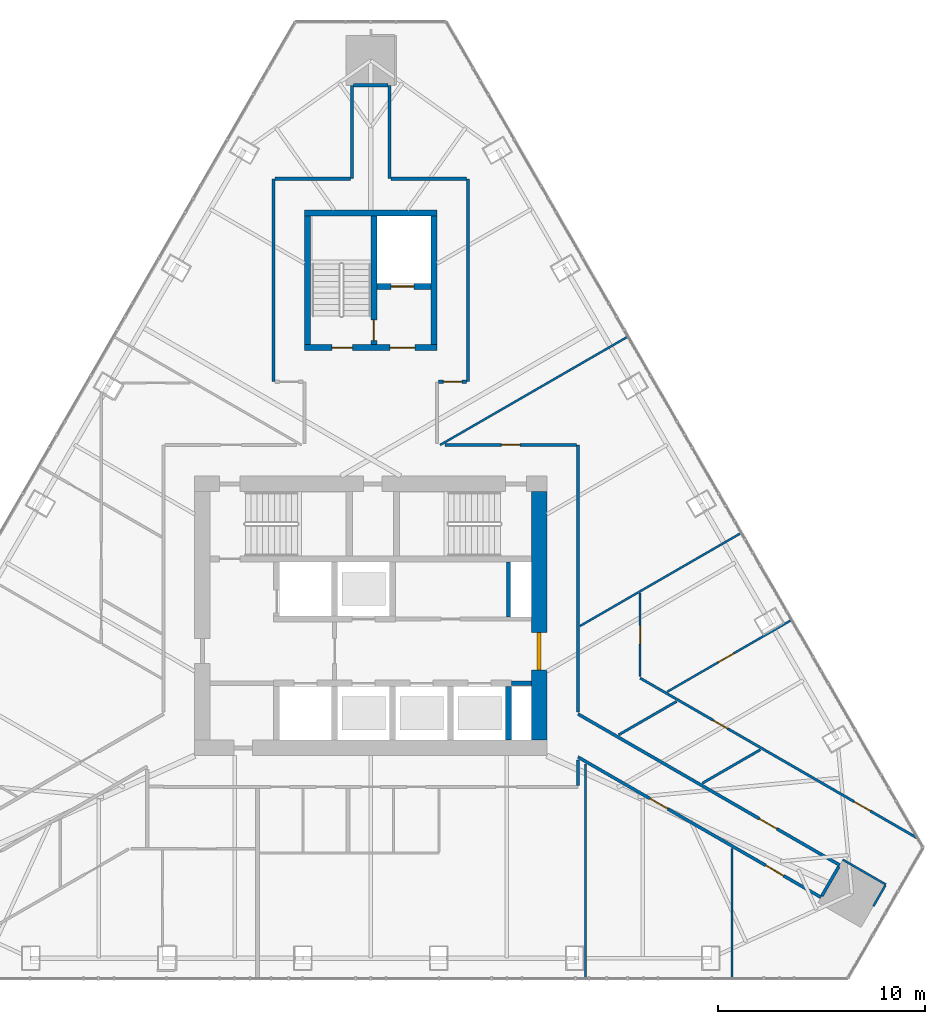
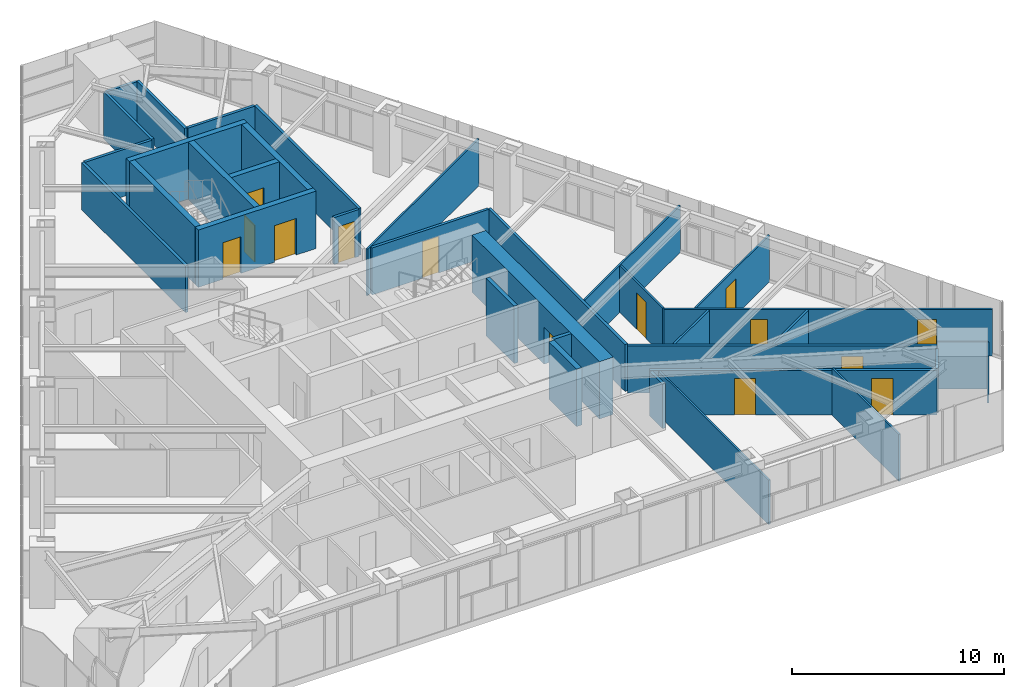
# One storey, part 17 of 20: 35 walls, 14 doors, 14 openings.
"""IFC4 building model written with IfcOpenShell, lengths in metres."""

from ifc_helpers import new_model, si_unit, direction, frame, frame_2d, origin, place, context, subcontext, project, spatial, rectangle, extrude, material, layer, layer_set, type_object, element, fill, save


model = new_model("IFC4")

# Units and contexts
model_context = context("Model", 3, precision=1e-05, world=origin(), true_north=direction((0.0, 1.0)))
body_context = subcontext(model_context, "Body", "Model", "MODEL_VIEW")
ifc_project = project(units=[si_unit("LENGTHUNIT", "METRE"), si_unit("AREAUNIT", "SQUARE_METRE"), si_unit("VOLUMEUNIT", "CUBIC_METRE"), si_unit("PLANEANGLEUNIT", "RADIAN"), si_unit("MASSUNIT", "GRAM", prefix="KILO")], contexts=[model_context])

# Site, building, storey
site_placement = place(None, origin())
site = spatial("IfcSite", under=ifc_project, at=site_placement, CompositionType="ELEMENT")
building_placement = place(site_placement, origin())
building = spatial("IfcBuilding", under=site, at=building_placement, Name="Firuza Gate Tower and Library", CompositionType="ELEMENT")
storey_placement = place(building_placement, frame((0.0, 0.0, 277.60009765625)))
storey = spatial("IfcBuildingStorey", under=building, at=storey_placement, Name="L66", CompositionType="ELEMENT", Elevation=277.60009765625)

# Walls
ifc_material_1 = material(Name="Plasterboard on steel studs", Category="steel")
ifc_layer_1 = layer(ifc_material_1, 0.199951171875)
ifc_layer_set_1 = layer_set([ifc_layer_1], Name="Core partition 200 EI 120")
wall_type_1 = type_object("IfcWallType", Name="Core partition 200 EI 120", PredefinedType="PARTITIONING", material=ifc_layer_set_1)
wall_1_placement = place(storey_placement, frame((81.800048828125, 71.75, 0.0), z_axis=(0.0, 0.0, 1.0), x_axis=(1.0, 0.0, 0.0)))
element("IfcWall", 1, at=wall_1_placement, inside=storey, type_object=wall_type_1, Name="Core partition L66 2", PredefinedType="PARTITIONING", context=body_context, shape_type="SweptSolid", body=[
    extrude(rectangle(XDim=0.949951171875, YDim=0.199951171875, at=frame_2d((0.47509765625, 0.0))), origin(), (0.0, 0.0, 1.0), 3.2998046875),
])
wall_2_placement = place(storey_placement, frame((81.64990234375, 74.949951171875, 0.0), z_axis=(0.0, 0.0, 1.0), x_axis=(0.0, 1.0, 0.0)))
element("IfcWall", 2, at=wall_2_placement, inside=storey, type_object=wall_type_1, Name="Core partition L66 5", PredefinedType="PARTITIONING", context=body_context, shape_type="SweptSolid", body=[
    extrude(rectangle(XDim=2.650146484375, YDim=0.199951171875, at=frame_2d((1.3251953125, 0.0))), origin(), (0.0, 0.0, 1.0), 3.2998046875),
])
ifc_material_2 = material(Name="Concrete C60/75", Category="concrete")
ifc_layer_2 = layer(ifc_material_2, 0.300048828125)
ifc_layer_set_2 = layer_set([ifc_layer_2], Name="Core wall 300 C60/75")
wall_type_2 = type_object("IfcWallType", Name="Core wall 300 C60/75", PredefinedType="SHEAR", material=ifc_layer_set_2)
wall_3_placement = place(storey_placement, frame((81.64990234375, 69.0, 0.0), z_axis=(0.0, 0.0, 1.0), x_axis=(0.0, 1.0, 0.0)))
element("IfcWall", 3, at=wall_3_placement, inside=storey, type_object=wall_type_2, Name="Core wall L66 14", PredefinedType="SHEAR", context=body_context, shape_type="SweptSolid", body=[
    extrude(rectangle(XDim=2.60009765625, YDim=0.300048828125, at=frame_2d((1.300048828125, 0.0))), origin(), (0.0, 0.0, 1.0), 3.2998046875),
])

# Wall, openings, doors
wall_4_placement = place(storey_placement, frame((71.800048828125, 87.949951171875, 0.0), z_axis=(0.0, 0.0, 1.0), x_axis=(1.0, 0.0, 0.0)))
wall_4 = element("IfcWall", 4, at=wall_4_placement, inside=storey, type_object=wall_type_2, Name="Core wall L66 18", PredefinedType="SHEAR", context=body_context, shape_type="SweptSolid", body=[
    extrude(rectangle(XDim=6.39990234375, YDim=0.300048828125, at=frame_2d((3.199951171875, 0.0))), origin(), (0.0, 0.0, 1.0), 3.2998046875),
])
opening_1_placement = place(wall_4_placement, frame((1.324951171875, 0.0, 0.0)))
opening_1 = element("IfcOpeningElement", 5, at=opening_1_placement, cuts=wall_4, Name="Opening L66-K11", PredefinedType="OPENING", context=body_context, shape_type="SweptSolid", body=[
    extrude(rectangle(XDim=1.0, YDim=2.10009765625, at=frame_2d((0.5, 1.050048828125))), frame((0.0, 0.16015625, 0.0), z_axis=(0.0, -1.0, 0.0), x_axis=(1.0, 0.0, 0.0)), (0.0, 0.0, 1.0), 0.320068359375),
])
opening_2_placement = place(wall_4_placement, frame((4.125, 0.0, 0.0)))
opening_2 = element("IfcOpeningElement", 6, at=opening_2_placement, cuts=wall_4, Name="Opening L66-K13", PredefinedType="OPENING", context=body_context, shape_type="SweptSolid", body=[
    extrude(rectangle(XDim=1.199951171875, YDim=2.10009765625, at=frame_2d((0.60009765625, 1.050048828125))), frame((0.0, 0.16015625, 0.0), z_axis=(0.0, -1.0, 0.0), x_axis=(1.0, 0.0, 0.0)), (0.0, 0.0, 1.0), 0.320068359375),
])
ifc_material_3 = material(Name="Steel", Category="steel")
door_type_1 = type_object("IfcDoorType", Name="Fire door 1000x2100 FD90", OperationType="NOTDEFINED", PredefinedType="DOOR", material=ifc_material_3)
door_1_placement = place(opening_1_placement, origin())
door_1 = element("IfcDoor", 7, at=door_1_placement, inside=storey, type_object=door_type_1, Name="Door L66-K11", OperationType="SINGLE_SWING_RIGHT", OverallHeight=2.10009765625, OverallWidth=1.0, PredefinedType="DOOR", context=body_context, shape_type="SweptSolid", body=[
    extrude(rectangle(XDim=1.0, YDim=2.10009765625, at=frame_2d((0.5, 1.050048828125))), frame((0.0, 0.02490234375, 0.0), z_axis=(0.0, -1.0, 0.0), x_axis=(1.0, 0.0, 0.0)), (0.0, 0.0, 1.0), 0.050048828125),
])
fill(opening_1, door_1)
ifc_material_4 = material(Name="Steel", Category="steel")
door_type_2 = type_object("IfcDoorType", Name="Fire door 1200x2100 FD30S", OperationType="NOTDEFINED", PredefinedType="DOOR", material=ifc_material_4)
door_2_placement = place(opening_2_placement, origin())
door_2 = element("IfcDoor", 8, at=door_2_placement, inside=storey, type_object=door_type_2, Name="Door L66-K13", OperationType="SINGLE_SWING_RIGHT", OverallHeight=2.10009765625, OverallWidth=1.199951171875, PredefinedType="DOOR", context=body_context, shape_type="SweptSolid", body=[
    extrude(rectangle(XDim=1.199951171875, YDim=2.10009765625, at=frame_2d((0.60009765625, 1.050048828125))), frame((0.0, 0.02490234375, 0.0), z_axis=(0.0, -1.0, 0.0), x_axis=(1.0, 0.0, 0.0)), (0.0, 0.0, 1.0), 0.050048828125),
])
fill(opening_2, door_2)

# Walls
wall_5_placement = place(storey_placement, frame((71.800048828125, 94.449951171875, 0.0), z_axis=(0.0, 0.0, 1.0), x_axis=(1.0, 0.0, 0.0)))
element("IfcWall", 9, at=wall_5_placement, inside=storey, type_object=wall_type_2, Name="Core wall L66 19", PredefinedType="SHEAR", context=body_context, shape_type="SweptSolid", body=[
    extrude(rectangle(XDim=6.39990234375, YDim=0.300048828125, at=frame_2d((3.199951171875, 0.0))), origin(), (0.0, 0.0, 1.0), 3.2998046875),
])
for number, where, z_axis, x_axis, name in (
    (10, (71.949951171875, 88.10009765625, 0.0), (0.0, 0.0, 1.0), (0.0, 1.0, 0.0), "Core wall L66 20"),
    (11, (78.050048828125, 88.10009765625, 0.0), (0.0, 0.0, 1.0), (0.0, 1.0, 0.0), "Core wall L66 21"),
):
    element("IfcWall", number, at=place(storey_placement, frame(where, z_axis=z_axis, x_axis=x_axis)), inside=storey, type_object=wall_type_2, Name=name, PredefinedType="SHEAR", context=body_context, shape_type="SweptSolid", body=[
        extrude(rectangle(XDim=6.199951171875, YDim=0.300048828125, at=frame_2d((3.10009765625, 0.0))), origin(), (0.0, 0.0, 1.0), 3.2998046875),
    ])

# Wall, opening, door
wall_6_placement = place(storey_placement, frame((75.300048828125, 90.89990234375, 0.0), z_axis=(0.0, 0.0, 1.0), x_axis=(1.0, 0.0, 0.0)))
wall_6 = element("IfcWall", 12, at=wall_6_placement, inside=storey, type_object=wall_type_2, Name="Core wall L66 22", PredefinedType="SHEAR", context=body_context, shape_type="SweptSolid", body=[
    extrude(rectangle(XDim=2.599853515625, YDim=0.300048828125, at=frame_2d((1.2998046875, 0.0))), origin(), (0.0, 0.0, 1.0), 3.2998046875),
])
opening_3_placement = place(wall_6_placement, frame((0.675048828125, 0.0, 0.0)))
opening_3 = element("IfcOpeningElement", 13, at=opening_3_placement, cuts=wall_6, Name="Opening LD-SV1-L66", PredefinedType="OPENING", context=body_context, shape_type="SweptSolid", body=[
    extrude(rectangle(XDim=1.10009765625, YDim=2.10009765625, at=frame_2d((0.550048828125, 1.050048828125))), frame((0.0, 0.16015625, 0.0), z_axis=(0.0, -1.0, 0.0), x_axis=(1.0, 0.0, 0.0)), (0.0, 0.0, 1.0), 0.320068359375),
])
ifc_material_5 = material(Name="Stainless steel", Category="steel")
door_type_3 = type_object("IfcDoorType", Name="Lift landing door 1100x2100", OperationType="DOUBLE_DOOR_SLIDING", PredefinedType="DOOR", material=ifc_material_5)
door_3_placement = place(opening_3_placement, origin())
door_3 = element("IfcDoor", 14, at=door_3_placement, inside=storey, type_object=door_type_3, Name="Landing door SV1 L66", OperationType="DOUBLE_DOOR_SLIDING", OverallHeight=2.10009765625, OverallWidth=1.10009765625, PredefinedType="DOOR", context=body_context, shape_type="SweptSolid", body=[
    extrude(rectangle(XDim=1.10009765625, YDim=2.10009765625, at=frame_2d((0.550048828125, 1.050048828125))), frame((0.0, 0.02490234375, 0.0), z_axis=(0.0, -1.0, 0.0), x_axis=(1.0, 0.0, 0.0)), (0.0, 0.0, 1.0), 0.050048828125),
])
fill(opening_3, door_3)

wall_7_placement = place(storey_placement, frame((75.14990234375, 88.10009765625, 0.0), z_axis=(0.0, 0.0, 1.0), x_axis=(0.0, 1.0, 0.0)))
wall_7 = element("IfcWall", 15, at=wall_7_placement, inside=storey, type_object=wall_type_2, Name="Core wall L66 23", PredefinedType="SHEAR", context=body_context, shape_type="SweptSolid", body=[
    extrude(rectangle(XDim=6.199951171875, YDim=0.300048828125, at=frame_2d((3.10009765625, 0.0))), origin(), (0.0, 0.0, 1.0), 3.2998046875),
])
opening_4_placement = place(wall_7_placement, frame((0.18505859375, 0.0, 0.0)))
opening_4 = element("IfcOpeningElement", 16, at=opening_4_placement, cuts=wall_7, Name="Opening L66-K12", PredefinedType="OPENING", context=body_context, shape_type="SweptSolid", body=[
    extrude(rectangle(XDim=1.0, YDim=2.10009765625, at=frame_2d((0.5, 1.050048828125))), frame((0.0, 0.16015625, 0.0), z_axis=(0.0, -1.0, 0.0), x_axis=(1.0, 0.0, 0.0)), (0.0, 0.0, 1.0), 0.320068359375),
])
door_4_placement = place(opening_4_placement, origin())
door_4 = element("IfcDoor", 17, at=door_4_placement, inside=storey, type_object=door_type_1, Name="Door L66-K12", OperationType="SINGLE_SWING_LEFT", OverallHeight=2.10009765625, OverallWidth=1.0, PredefinedType="DOOR", context=body_context, shape_type="SweptSolid", body=[
    extrude(rectangle(XDim=1.0, YDim=2.10009765625, at=frame_2d((0.5, 1.050048828125))), frame((0.0, 0.02490234375, 0.0), z_axis=(0.0, -1.0, 0.0), x_axis=(1.0, 0.0, 0.0)), (0.0, 0.0, 1.0), 0.050048828125),
])
fill(opening_4, door_4)

ifc_material_6 = material(Name="Concrete C60/75", Category="concrete")
ifc_layer_3 = layer(ifc_material_6, 0.75)
ifc_layer_set_3 = layer_set([ifc_layer_3], Name="Core wall 750 C60/75")
wall_type_3 = type_object("IfcWallType", Name="Core wall 750 C60/75", PredefinedType="SHEAR", material=ifc_layer_set_3)
wall_8_placement = place(storey_placement, frame((83.125, 69.0, 0.0), z_axis=(0.0, 0.0, 1.0), x_axis=(0.0, 1.0, 0.0)))
wall_8 = element("IfcWall", 18, at=wall_8_placement, inside=storey, type_object=wall_type_3, Name="Core wall L66 4", PredefinedType="SHEAR", context=body_context, shape_type="SweptSolid", body=[
    extrude(rectangle(XDim=12.0, YDim=0.75, at=frame_2d((6.0, 0.0))), origin(), (0.0, 0.0, 1.0), 3.2998046875),
])
opening_5_placement = place(wall_8_placement, frame((3.39990234375, 0.0, 0.0)))
opening_5 = element("IfcOpeningElement", 19, at=opening_5_placement, cuts=wall_8, Name="Opening L66-K16", PredefinedType="OPENING", context=body_context, shape_type="SweptSolid", body=[
    extrude(rectangle(XDim=1.800048828125, YDim=2.10009765625, at=frame_2d((0.89990234375, 1.050048828125))), frame((0.0, 0.385009765625, 0.0), z_axis=(0.0, -1.0, 0.0), x_axis=(1.0, 0.0, 0.0)), (0.0, 0.0, 1.0), 0.77001953125),
])
ifc_material_7 = material(Name="Steel", Category="steel")
door_type_4 = type_object("IfcDoorType", Name="Fire door 1800x2100 FD30S", OperationType="NOTDEFINED", PredefinedType="DOOR", material=ifc_material_7)
door_5_placement = place(opening_5_placement, origin())
door_5 = element("IfcDoor", 20, at=door_5_placement, inside=storey, type_object=door_type_4, Name="Door L66-K16", OperationType="SINGLE_SWING_LEFT", OverallHeight=2.10009765625, OverallWidth=1.800048828125, PredefinedType="DOOR", context=body_context, shape_type="SweptSolid", body=[
    extrude(rectangle(XDim=1.800048828125, YDim=2.10009765625, at=frame_2d((0.89990234375, 1.050048828125))), frame((0.0, 0.094970703125, 0.0), z_axis=(0.0, -1.0, 0.0), x_axis=(1.0, 0.0, 0.0)), (0.0, 0.0, 1.0), 0.18994140625),
])
fill(opening_5, door_5)

ifc_material_8 = material(Name="Gypsum board partition")
ifc_layer_4 = layer(ifc_material_8, 0.14990234375)
ifc_layer_set_4 = layer_set([ifc_layer_4], Name="Corridor wall 150 double board on steel studs")
wall_type_4 = type_object("IfcWallType", Name="Corridor wall 150 double board on steel studs", PredefinedType="PARTITIONING", material=ifc_layer_set_4)
wall_9_placement = place(storey_placement, frame((84.924560546875, 83.25, 0.0), z_axis=(0.0, 0.0, 1.0), x_axis=(-1.0, 0.0, 0.0)))
wall_9 = element("IfcWall", 21, at=wall_9_placement, inside=storey, type_object=wall_type_4, Name="f:L66:w007", PredefinedType="PARTITIONING", context=body_context, shape_type="SweptSolid", body=[
    extrude(rectangle(XDim=6.344482421875, YDim=0.14990234375, at=frame_2d((3.17236328125, 0.0))), origin(), (0.0, 0.0, 1.0), 2.699951171875),
])
opening_6_placement = place(wall_9_placement, frame((2.72216796875, 0.0, 0.0)))
opening_6 = element("IfcOpeningElement", 22, at=opening_6_placement, cuts=wall_9, Name="Opening L66-08", PredefinedType="OPENING", context=body_context, shape_type="SweptSolid", body=[
    extrude(rectangle(XDim=0.89990234375, YDim=2.10009765625, at=frame_2d((0.449951171875, 1.050048828125))), frame((0.0, 0.0849609375, 0.0), z_axis=(0.0, -1.0, 0.0), x_axis=(1.0, 0.0, 0.0)), (0.0, 0.0, 1.0), 0.169921875),
])
ifc_material_9 = material(Name="Steel door and timber leaf", Category="steel")
door_type_5 = type_object("IfcDoorType", Name="Fire door 900 x 2100 steel frame, timber leaf", OperationType="NOTDEFINED", PredefinedType="DOOR", material=ifc_material_9)
door_6_placement = place(opening_6_placement, origin())
door_6 = element("IfcDoor", 23, at=door_6_placement, inside=storey, type_object=door_type_5, Name="f:L66:d008", OperationType="SINGLE_SWING_LEFT", OverallHeight=2.10009765625, OverallWidth=0.89990234375, PredefinedType="DOOR", context=body_context, shape_type="SweptSolid", body=[
    extrude(rectangle(XDim=0.89990234375, YDim=2.10009765625, at=frame_2d((0.449951171875, 1.050048828125))), frame((0.0, 0.02490234375, 0.0), z_axis=(0.0, -1.0, 0.0), x_axis=(1.0, 0.0, 0.0)), (0.0, 0.0, 1.0), 0.050048828125),
])
fill(opening_6, door_6)

wall_10_placement = place(storey_placement, frame((78.275146484375, 86.300048828125, 0.0), z_axis=(0.0, 0.0, 1.0), x_axis=(1.0, 0.0, 0.0)))
wall_10 = element("IfcWall", 24, at=wall_10_placement, inside=storey, type_object=wall_type_4, Name="f:L66:w010", PredefinedType="PARTITIONING", context=body_context, shape_type="SweptSolid", body=[
    extrude(rectangle(XDim=1.347900390625, YDim=0.14990234375, at=frame_2d((0.673828125, 0.0))), origin(), (0.0, 0.0, 1.0), 2.699951171875),
])
opening_7_placement = place(wall_10_placement, frame((0.223876953125, 0.0, 0.0)))
opening_7 = element("IfcOpeningElement", 25, at=opening_7_placement, cuts=wall_10, Name="Opening L66-11", PredefinedType="OPENING", context=body_context, shape_type="SweptSolid", body=[
    extrude(rectangle(XDim=0.89990234375, YDim=2.10009765625, at=frame_2d((0.449951171875, 1.050048828125))), frame((0.0, 0.0849609375, 0.0), z_axis=(0.0, -1.0, 0.0), x_axis=(1.0, 0.0, 0.0)), (0.0, 0.0, 1.0), 0.169921875),
])
door_7_placement = place(opening_7_placement, origin())
door_7 = element("IfcDoor", 26, at=door_7_placement, inside=storey, type_object=door_type_5, Name="f:L66:d011", OperationType="SINGLE_SWING_LEFT", OverallHeight=2.10009765625, OverallWidth=0.89990234375, PredefinedType="DOOR", context=body_context, shape_type="SweptSolid", body=[
    extrude(rectangle(XDim=0.89990234375, YDim=2.10009765625, at=frame_2d((0.449951171875, 1.050048828125))), frame((0.0, 0.02490234375, 0.0), z_axis=(0.0, -1.0, 0.0), x_axis=(1.0, 0.0, 0.0)), (0.0, 0.0, 1.0), 0.050048828125),
])
fill(opening_7, door_7)

# Walls
for number, where, z_axis, x_axis, name in (
    (27, (70.376953125, 96.10009765625, 0.0), (0.0, 0.0, 1.0), (1.0, 0.0, 0.0), "f:L66:w011"),
    (28, (75.97509765625, 96.10009765625, 0.0), (0.0, 0.0, 1.0), (1.0, 0.0, 0.0), "f:L66:w012"),
):
    element("IfcWall", number, at=place(storey_placement, frame(where, z_axis=z_axis, x_axis=x_axis)), inside=storey, type_object=wall_type_4, Name=name, PredefinedType="PARTITIONING", context=body_context, shape_type="SweptSolid", body=[
        extrude(rectangle(XDim=3.64794921875, YDim=0.14990234375, at=frame_2d((1.823974609375, 0.0))), origin(), (0.0, 0.0, 1.0), 2.699951171875),
    ])
wall_11_placement = place(storey_placement, frame((74.175537109375, 100.612060546875, 0.0), z_axis=(0.0, 0.0, 1.0), x_axis=(1.0, 0.0, 0.0)))
element("IfcWall", 29, at=wall_11_placement, inside=storey, type_object=wall_type_4, Name="f:L66:w013", PredefinedType="PARTITIONING", context=body_context, shape_type="SweptSolid", body=[
    extrude(rectangle(XDim=1.642578125, YDim=0.14990234375, at=frame_2d((0.8212890625, 0.0))), origin(), (0.0, 0.0, 1.0), 2.697021484375),
])
wall_12_placement = place(storey_placement, frame((96.7685546875, 61.47998046875, 0.0), z_axis=(0.0, 0.0, 1.0), x_axis=(0.500035172766, 0.866005095826, 0.0)))
element("IfcWall", 30, at=wall_12_placement, inside=storey, type_object=wall_type_4, Name="f:L66:w026", PredefinedType="PARTITIONING", context=body_context, shape_type="SweptSolid", body=[
    extrude(rectangle(XDim=1.64453125, YDim=0.14990234375, at=frame_2d((0.822265625, 0.0))), origin(), (0.0, 0.0, 1.0), 2.546875),
])
wall_13_placement = place(storey_placement, frame((85.0, 66.825439453125, 0.0), z_axis=(0.0, 0.0, 1.0), x_axis=(0.0, 1.0, 0.0)))
element("IfcWall", 31, at=wall_13_placement, inside=storey, type_object=wall_type_4, Name="f:L66:w031", PredefinedType="PARTITIONING", context=body_context, shape_type="SweptSolid", body=[
    extrude(rectangle(XDim=1.22509765625, YDim=0.14990234375, at=frame_2d((0.612548828125, 0.0))), origin(), (0.0, 0.0, 1.0), 2.546875),
])
wall_14_placement = place(storey_placement, frame((85.0, 70.352294921875, 0.0), z_axis=(0.0, 0.0, 1.0), x_axis=(0.0, 1.0, 0.0)))
element("IfcWall", 32, at=wall_14_placement, inside=storey, type_object=wall_type_4, Name="f:L66:w032", PredefinedType="PARTITIONING", context=body_context, shape_type="SweptSolid", body=[
    extrude(rectangle(XDim=12.897216796875, YDim=0.14990234375, at=frame_2d((6.44873046875, 0.0))), origin(), (0.0, 0.0, 1.0), 2.699951171875),
])
wall_15_placement = place(storey_placement, frame((79.699951171875, 86.302001953125, 0.0), z_axis=(0.0, 0.0, 1.0), x_axis=(0.0, 1.0, 0.0)))
element("IfcWall", 33, at=wall_15_placement, inside=storey, type_object=wall_type_4, Name="f:L66:w033", PredefinedType="PARTITIONING", context=body_context, shape_type="SweptSolid", body=[
    extrude(rectangle(XDim=9.7958984375, YDim=0.14990234375, at=frame_2d((4.89794921875, 0.0))), origin(), (0.0, 0.0, 1.0), 2.699951171875),
])
wall_16_placement = place(storey_placement, frame((75.89990234375, 96.10009765625, 0.0), z_axis=(0.0, 0.0, 1.0), x_axis=(0.0, 1.0, 0.0)))
element("IfcWall", 34, at=wall_16_placement, inside=storey, type_object=wall_type_4, Name="f:L66:w038", PredefinedType="PARTITIONING", context=body_context, shape_type="SweptSolid", body=[
    extrude(rectangle(XDim=4.51171875, YDim=0.14990234375, at=frame_2d((2.255859375, 0.0))), origin(), (0.0, 0.0, 1.0), 2.699951171875),
])
wall_17_placement = place(storey_placement, frame((74.10009765625, 96.10009765625, 0.0), z_axis=(0.0, 0.0, 1.0), x_axis=(0.0, 1.0, 0.0)))
element("IfcWall", 35, at=wall_17_placement, inside=storey, type_object=wall_type_4, Name="f:L66:w040", PredefinedType="PARTITIONING", context=body_context, shape_type="SweptSolid", body=[
    extrude(rectangle(XDim=4.51123046875, YDim=0.14990234375, at=frame_2d((2.255615234375, 0.0))), origin(), (0.0, 0.0, 1.0), 2.699951171875),
])
wall_18_placement = place(storey_placement, frame((70.300048828125, 86.302001953125, 0.0), z_axis=(0.0, 0.0, 1.0), x_axis=(0.0, 1.0, 0.0)))
element("IfcWall", 36, at=wall_18_placement, inside=storey, type_object=wall_type_4, Name="f:L66:w044", PredefinedType="PARTITIONING", context=body_context, shape_type="SweptSolid", body=[
    extrude(rectangle(XDim=9.7958984375, YDim=0.14990234375, at=frame_2d((4.89794921875, 0.0))), origin(), (0.0, 0.0, 1.0), 2.699951171875),
])

# Wall, opening, door
wall_19_placement = place(storey_placement, frame((85.0, 70.265869140625, 0.0), z_axis=(0.0, 0.0, 1.0), x_axis=(0.866026970734, -0.499997285954, 0.0)))
wall_19 = element("IfcWall", 37, at=wall_19_placement, inside=storey, type_object=wall_type_4, Name="f:L66:w058", PredefinedType="PARTITIONING", context=body_context, shape_type="SweptSolid", body=[
    extrude(rectangle(XDim=14.58447265625, YDim=0.14990234375, at=frame_2d((7.292236328125, 0.0))), origin(), (0.0, 0.0, 1.0), 2.699951171875),
])
opening_8_placement = place(wall_19_placement, frame((10.09423828125, 0.0, 0.0)))
opening_8 = element("IfcOpeningElement", 38, at=opening_8_placement, cuts=wall_19, Name="Opening L66-24", PredefinedType="OPENING", context=body_context, shape_type="SweptSolid", body=[
    extrude(rectangle(XDim=1.0, YDim=2.10009765625, at=frame_2d((0.5, 1.050048828125))), frame((0.0, 0.0849609375, 0.0), z_axis=(0.0, -1.0, 0.0), x_axis=(1.0, 0.0, 0.0)), (0.0, 0.0, 1.0), 0.169921875),
])
ifc_material_10 = material(Name="Steel door and timber leaf", Category="steel")
door_type_6 = type_object("IfcDoorType", Name="Fire door 1000 x 2100 steel frame, timber leaf", OperationType="NOTDEFINED", PredefinedType="DOOR", material=ifc_material_10)
door_8_placement = place(opening_8_placement, origin())
door_8 = element("IfcDoor", 39, at=door_8_placement, inside=storey, type_object=door_type_6, Name="f:L66:d024", OperationType="SINGLE_SWING_LEFT", OverallHeight=2.10009765625, OverallWidth=1.0, PredefinedType="DOOR", context=body_context, shape_type="SweptSolid", body=[
    extrude(rectangle(XDim=1.0, YDim=2.10009765625, at=frame_2d((0.5, 1.050048828125))), frame((0.0, 0.02490234375, 0.0), z_axis=(0.0, -1.0, 0.0), x_axis=(1.0, 0.0, 0.0)), (0.0, 0.0, 1.0), 0.050048828125),
])
fill(opening_8, door_8)

# Wall, openings, doors
wall_20_placement = place(storey_placement, frame((96.730224609375, 61.4150390625, 0.0), z_axis=(0.0, 0.0, 1.0), x_axis=(-0.866032805753, 0.499987179195, 0.0)))
wall_20 = element("IfcWall", 40, at=wall_20_placement, inside=storey, type_object=wall_type_4, Name="f:L66:w059", PredefinedType="PARTITIONING", context=body_context, shape_type="SweptSolid", body=[
    extrude(rectangle(XDim=13.544677734375, YDim=0.14990234375, at=frame_2d((6.7724609375, 0.0))), origin(), (0.0, 0.0, 1.0), 2.546875),
])
opening_9_placement = place(wall_20_placement, frame((2.078369140625, 0.0, 0.0)))
opening_9 = element("IfcOpeningElement", 41, at=opening_9_placement, cuts=wall_20, Name="Opening L66-25", PredefinedType="OPENING", context=body_context, shape_type="SweptSolid", body=[
    extrude(rectangle(XDim=1.0, YDim=2.10009765625, at=frame_2d((0.5, 1.050048828125))), frame((0.0, 0.0849609375, 0.0), z_axis=(0.0, -1.0, 0.0), x_axis=(1.0, 0.0, 0.0)), (0.0, 0.0, 1.0), 0.169921875),
])
opening_10_placement = place(wall_20_placement, frame((8.540283203125, 0.0, 0.0)))
opening_10 = element("IfcOpeningElement", 42, at=opening_10_placement, cuts=wall_20, Name="Opening L66-26", PredefinedType="OPENING", context=body_context, shape_type="SweptSolid", body=[
    extrude(rectangle(XDim=1.0, YDim=2.10009765625, at=frame_2d((0.5, 1.050048828125))), frame((0.0, 0.0849609375, 0.0), z_axis=(0.0, -1.0, 0.0), x_axis=(1.0, 0.0, 0.0)), (0.0, 0.0, 1.0), 0.169921875),
])
door_9_placement = place(opening_9_placement, origin())
door_9 = element("IfcDoor", 43, at=door_9_placement, inside=storey, type_object=door_type_6, Name="f:L66:d025", OperationType="SINGLE_SWING_RIGHT", OverallHeight=2.10009765625, OverallWidth=1.0, PredefinedType="DOOR", context=body_context, shape_type="SweptSolid", body=[
    extrude(rectangle(XDim=1.0, YDim=2.10009765625, at=frame_2d((0.5, 1.050048828125))), frame((0.0, 0.02490234375, 0.0), z_axis=(0.0, -1.0, 0.0), x_axis=(1.0, 0.0, 0.0)), (0.0, 0.0, 1.0), 0.050048828125),
])
fill(opening_9, door_9)
door_10_placement = place(opening_10_placement, origin())
door_10 = element("IfcDoor", 44, at=door_10_placement, inside=storey, type_object=door_type_6, Name="f:L66:d026", OperationType="SINGLE_SWING_LEFT", OverallHeight=2.10009765625, OverallWidth=1.0, PredefinedType="DOOR", context=body_context, shape_type="SweptSolid", body=[
    extrude(rectangle(XDim=1.0, YDim=2.10009765625, at=frame_2d((0.5, 1.050048828125))), frame((0.0, 0.02490234375, 0.0), z_axis=(0.0, -1.0, 0.0), x_axis=(1.0, 0.0, 0.0)), (0.0, 0.0, 1.0), 0.050048828125),
])
fill(opening_10, door_10)

# Wall, opening, door
ifc_material_11 = material(Name="Gypsum board partition")
ifc_layer_5 = layer(ifc_material_11, 0.10009765625)
ifc_layer_set_5 = layer_set([ifc_layer_5], Name="Partition 100 gypsum board on steel studs")
wall_type_5 = type_object("IfcWallType", Name="Partition 100 gypsum board on steel studs", PredefinedType="PARTITIONING", material=ifc_layer_set_5)
wall_21_placement = place(storey_placement, frame((89.310791015625, 71.340087890625, 0.0), z_axis=(0.0, 0.0, 1.0), x_axis=(0.866013442838, 0.500020716395, 0.0)))
wall_21 = element("IfcWall", 45, at=wall_21_placement, inside=storey, type_object=wall_type_5, Name="f:L66:w017", PredefinedType="PARTITIONING", context=body_context, shape_type="SweptSolid", body=[
    extrude(rectangle(XDim=6.920166015625, YDim=0.10009765625, at=frame_2d((3.4599609375, 0.0))), origin(), (0.0, 0.0, 1.0), 2.68798828125),
])
opening_11_placement = place(wall_21_placement, frame((2.830078125, 0.0, 0.0)))
opening_11 = element("IfcOpeningElement", 46, at=opening_11_placement, cuts=wall_21, Name="Opening L66-12", PredefinedType="OPENING", context=body_context, shape_type="SweptSolid", body=[
    extrude(rectangle(XDim=0.89990234375, YDim=2.10009765625, at=frame_2d((0.449951171875, 1.050048828125))), frame((0.0, 0.06005859375, 0.0), z_axis=(0.0, -1.0, 0.0), x_axis=(1.0, 0.0, 0.0)), (0.0, 0.0, 1.0), 0.1201171875),
])
ifc_material_12 = material(Name="Timber door", Category="wood")
door_type_7 = type_object("IfcDoorType", Name="Door 900 x 2100 timber leaf", OperationType="NOTDEFINED", PredefinedType="DOOR", material=ifc_material_12)
door_11_placement = place(opening_11_placement, origin())
door_11 = element("IfcDoor", 47, at=door_11_placement, inside=storey, type_object=door_type_7, Name="f:L66:d012", OperationType="SINGLE_SWING_LEFT", OverallHeight=2.10009765625, OverallWidth=0.89990234375, PredefinedType="DOOR", context=body_context, shape_type="SweptSolid", body=[
    extrude(rectangle(XDim=0.89990234375, YDim=2.10009765625, at=frame_2d((0.449951171875, 1.050048828125))), frame((0.0, 0.02490234375, 0.0), z_axis=(0.0, -1.0, 0.0), x_axis=(1.0, 0.0, 0.0)), (0.0, 0.0, 1.0), 0.050048828125),
])
fill(opening_11, door_11)

# Walls
wall_22_placement = place(storey_placement, frame((85.100830078125, 74.514404296875, 0.0), z_axis=(0.0, 0.0, 1.0), x_axis=(0.866020765707, 0.500008033299, 0.0)))
element("IfcWall", 48, at=wall_22_placement, inside=storey, type_object=wall_type_5, Name="f:L66:w018", PredefinedType="PARTITIONING", context=body_context, shape_type="SweptSolid", body=[
    extrude(rectangle(XDim=8.978759765625, YDim=0.10009765625, at=frame_2d((4.4892578125, 0.0))), origin(), (0.0, 0.0, 1.0), 2.68798828125),
])
wall_23_placement = place(storey_placement, frame((78.34716796875, 83.25, 0.0), z_axis=(0.0, 0.0, 1.0), x_axis=(0.866025448133, 0.499999923186, 0.0)))
element("IfcWall", 49, at=wall_23_placement, inside=storey, type_object=wall_type_5, Name="f:L66:w024", PredefinedType="PARTITIONING", context=body_context, shape_type="SweptSolid", body=[
    extrude(rectangle(XDim=10.4599609375, YDim=0.10009765625, at=frame_2d((5.22998046875, 0.0))), origin(), (0.0, 0.0, 1.0), 2.68798828125),
])
wall_24_placement = place(storey_placement, frame((99.25927734375, 60.993896484375, 0.0), z_axis=(0.0, 0.0, 1.0), x_axis=(0.499906209203, 0.866079547155, 0.0)))
element("IfcWall", 50, at=wall_24_placement, inside=storey, type_object=wall_type_5, Name="f:L66:w025", PredefinedType="PARTITIONING", context=body_context, shape_type="SweptSolid", body=[
    extrude(rectangle(XDim=1.150146484375, YDim=0.10009765625, at=frame_2d((0.5751953125, 0.0))), origin(), (0.0, 0.0, 1.0), 2.699951171875),
])
wall_25_placement = place(storey_placement, frame((92.43994140625, 57.516357421875, 0.0), z_axis=(0.0, 0.0, 1.0), x_axis=(0.0, 1.0, 0.0)))
element("IfcWall", 51, at=wall_25_placement, inside=storey, type_object=wall_type_5, Name="f:L66:w028", PredefinedType="PARTITIONING", context=body_context, shape_type="SweptSolid", body=[
    extrude(rectangle(XDim=6.2587890625, YDim=0.10009765625, at=frame_2d((3.12939453125, 0.0))), origin(), (0.0, 0.0, 1.0), 2.699951171875),
])

# Wall, opening, door
wall_26_placement = place(storey_placement, frame((88.0, 72.067138671875, 0.0), z_axis=(0.0, 0.0, 1.0), x_axis=(0.0, 1.0, 0.0)))
wall_26 = element("IfcWall", 52, at=wall_26_placement, inside=storey, type_object=wall_type_5, Name="f:L66:w029", PredefinedType="PARTITIONING", context=body_context, shape_type="SweptSolid", body=[
    extrude(rectangle(XDim=4.033203125, YDim=0.10009765625, at=frame_2d((2.0166015625, 0.0))), origin(), (0.0, 0.0, 1.0), 2.699951171875),
])
opening_12_placement = place(wall_26_placement, frame((1.566650390625, 0.0, 0.0)))
opening_12 = element("IfcOpeningElement", 53, at=opening_12_placement, cuts=wall_26, Name="Opening L66-18", PredefinedType="OPENING", context=body_context, shape_type="SweptSolid", body=[
    extrude(rectangle(XDim=0.89990234375, YDim=2.10009765625, at=frame_2d((0.449951171875, 1.050048828125))), frame((0.0, 0.06005859375, 0.0), z_axis=(0.0, -1.0, 0.0), x_axis=(1.0, 0.0, 0.0)), (0.0, 0.0, 1.0), 0.1201171875),
])
door_12_placement = place(opening_12_placement, origin())
door_12 = element("IfcDoor", 54, at=door_12_placement, inside=storey, type_object=door_type_7, Name="f:L66:d018", OperationType="SINGLE_SWING_LEFT", OverallHeight=2.10009765625, OverallWidth=0.89990234375, PredefinedType="DOOR", context=body_context, shape_type="SweptSolid", body=[
    extrude(rectangle(XDim=0.89990234375, YDim=2.10009765625, at=frame_2d((0.449951171875, 1.050048828125))), frame((0.0, 0.02490234375, 0.0), z_axis=(0.0, -1.0, 0.0), x_axis=(1.0, 0.0, 0.0)), (0.0, 0.0, 1.0), 0.050048828125),
])
fill(opening_12, door_12)

# Walls
wall_27_placement = place(storey_placement, frame((85.361083984375, 57.516357421875, 0.0), z_axis=(0.0, 0.0, 1.0), x_axis=(0.0, 1.0, 0.0)))
element("IfcWall", 55, at=wall_27_placement, inside=storey, type_object=wall_type_5, Name="f:L66:w030", PredefinedType="PARTITIONING", context=body_context, shape_type="SweptSolid", body=[
    extrude(rectangle(XDim=10.345703125, YDim=0.10009765625, at=frame_2d((5.1728515625, 0.0))), origin(), (0.0, 0.0, 1.0), 2.546875),
])
wall_28_placement = place(storey_placement, frame((99.859130859375, 62.033447265625, 0.0), z_axis=(0.0, 0.0, 1.0), x_axis=(-0.866050077142, 0.499957262057, 0.0)))
element("IfcWall", 56, at=wall_28_placement, inside=storey, type_object=wall_type_5, Name="f:L66:w057", PredefinedType="PARTITIONING", context=body_context, shape_type="SweptSolid", body=[
    extrude(rectangle(XDim=2.400146484375, YDim=0.10009765625, at=frame_2d((1.2001953125, 0.0))), origin(), (0.0, 0.0, 1.0), 2.699951171875),
])
ifc_material_13 = material(Name="Gypsum board partition")
ifc_layer_6 = layer(ifc_material_13, 0.1201171875)
ifc_layer_set_6 = layer_set([ifc_layer_6], Name="Wet-area partition 120 moisture-resistant board")
wall_type_6 = type_object("IfcWallType", Name="Wet-area partition 120 moisture-resistant board", PredefinedType="PARTITIONING", material=ifc_layer_set_6)
wall_29_placement = place(storey_placement, frame((91.004638671875, 66.925537109375, 0.0), z_axis=(0.0, 0.0, 1.0), x_axis=(0.866000447062, 0.500043223821, 0.0)))
element("IfcWall", 57, at=wall_29_placement, inside=storey, type_object=wall_type_6, Name="f:L66:w015", PredefinedType="PARTITIONING", context=body_context, shape_type="SweptSolid", body=[
    extrude(rectangle(XDim=3.228271484375, YDim=0.1201171875, at=frame_2d((1.6142578125, 0.0))), origin(), (0.0, 0.0, 1.0), 2.699951171875),
])
wall_30_placement = place(storey_placement, frame((86.96337890625, 69.258544921875, 0.0), z_axis=(0.0, 0.0, 1.0), x_axis=(0.866033195618, 0.499986503906, 0.0)))
element("IfcWall", 58, at=wall_30_placement, inside=storey, type_object=wall_type_6, Name="f:L66:w016", PredefinedType="PARTITIONING", context=body_context, shape_type="SweptSolid", body=[
    extrude(rectangle(XDim=3.22802734375, YDim=0.1201171875, at=frame_2d((1.614013671875, 0.0))), origin(), (0.0, 0.0, 1.0), 2.699951171875),
])

# Wall, openings, doors
wall_31_placement = place(storey_placement, frame((101.382568359375, 64.271484375, 0.0), z_axis=(0.0, 0.0, 1.0), x_axis=(-0.86602851656, 0.499994608475, 0.0)))
wall_31 = element("IfcWall", 59, at=wall_31_placement, inside=storey, type_object=wall_type_6, Name="f:L66:w055", PredefinedType="PARTITIONING", context=body_context, shape_type="SweptSolid", body=[
    extrude(rectangle(XDim=15.452880859375, YDim=0.1201171875, at=frame_2d((7.7265625, 0.0))), origin(), (0.0, 0.0, 1.0), 2.699951171875),
])
opening_13_placement = place(wall_31_placement, frame((2.625732421875, 0.0, 0.0)))
opening_13 = element("IfcOpeningElement", 60, at=opening_13_placement, cuts=wall_31, Name="Opening L66-22", PredefinedType="OPENING", context=body_context, shape_type="SweptSolid", body=[
    extrude(rectangle(XDim=0.89990234375, YDim=2.10009765625, at=frame_2d((0.449951171875, 1.050048828125))), frame((0.0, 0.070068359375, 0.0), z_axis=(0.0, -1.0, 0.0), x_axis=(1.0, 0.0, 0.0)), (0.0, 0.0, 1.0), 0.14013671875),
])
opening_14_placement = place(wall_31_placement, frame((10.5791015625, 0.0, 0.0)))
opening_14 = element("IfcOpeningElement", 61, at=opening_14_placement, cuts=wall_31, Name="Opening L66-23", PredefinedType="OPENING", context=body_context, shape_type="SweptSolid", body=[
    extrude(rectangle(XDim=0.800048828125, YDim=2.10009765625, at=frame_2d((0.39990234375, 1.050048828125))), frame((0.0, 0.070068359375, 0.0), z_axis=(0.0, -1.0, 0.0), x_axis=(1.0, 0.0, 0.0)), (0.0, 0.0, 1.0), 0.14013671875),
])
ifc_material_14 = material(Name="Timber door", Category="wood")
door_type_8 = type_object("IfcDoorType", Name="Door 800 x 2100 timber leaf", OperationType="NOTDEFINED", PredefinedType="DOOR", material=ifc_material_14)
door_13_placement = place(opening_14_placement, origin())
door_13 = element("IfcDoor", 62, at=door_13_placement, inside=storey, type_object=door_type_8, Name="f:L66:d023", OperationType="SINGLE_SWING_RIGHT", OverallHeight=2.10009765625, OverallWidth=0.800048828125, PredefinedType="DOOR", context=body_context, shape_type="SweptSolid", body=[
    extrude(rectangle(XDim=0.800048828125, YDim=2.10009765625, at=frame_2d((0.39990234375, 1.050048828125))), frame((0.0, 0.02490234375, 0.0), z_axis=(0.0, -1.0, 0.0), x_axis=(1.0, 0.0, 0.0)), (0.0, 0.0, 1.0), 0.050048828125),
])
fill(opening_14, door_13)
door_14_placement = place(opening_13_placement, origin())
door_14 = element("IfcDoor", 63, at=door_14_placement, inside=storey, type_object=door_type_7, Name="f:L66:d022", OperationType="SINGLE_SWING_LEFT", OverallHeight=2.10009765625, OverallWidth=0.89990234375, PredefinedType="DOOR", context=body_context, shape_type="SweptSolid", body=[
    extrude(rectangle(XDim=0.89990234375, YDim=2.10009765625, at=frame_2d((0.449951171875, 1.050048828125))), frame((0.0, 0.02490234375, 0.0), z_axis=(0.0, -1.0, 0.0), x_axis=(1.0, 0.0, 0.0)), (0.0, 0.0, 1.0), 0.050048828125),
])
fill(opening_13, door_14)

save(model, "model.ifc")
